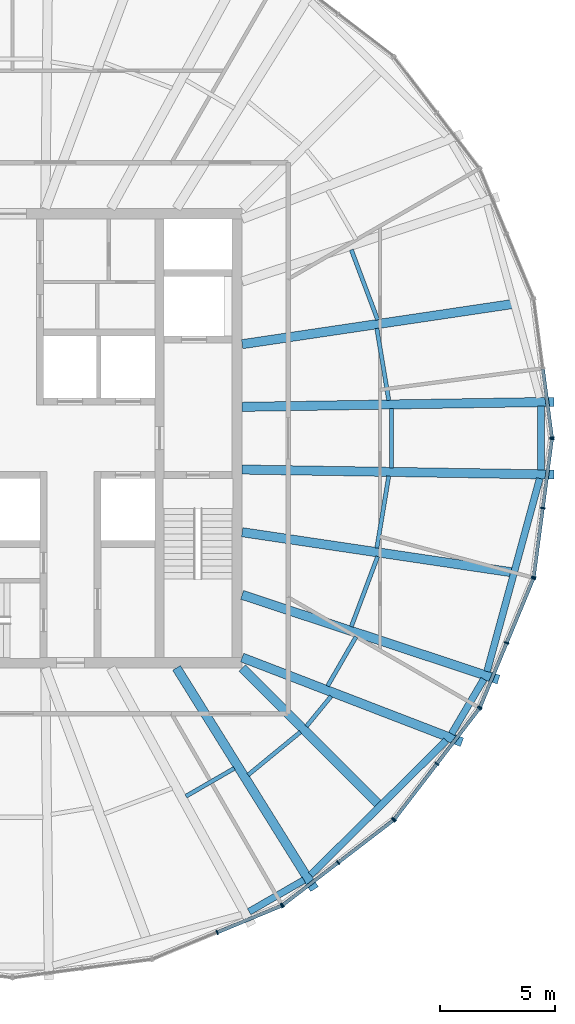
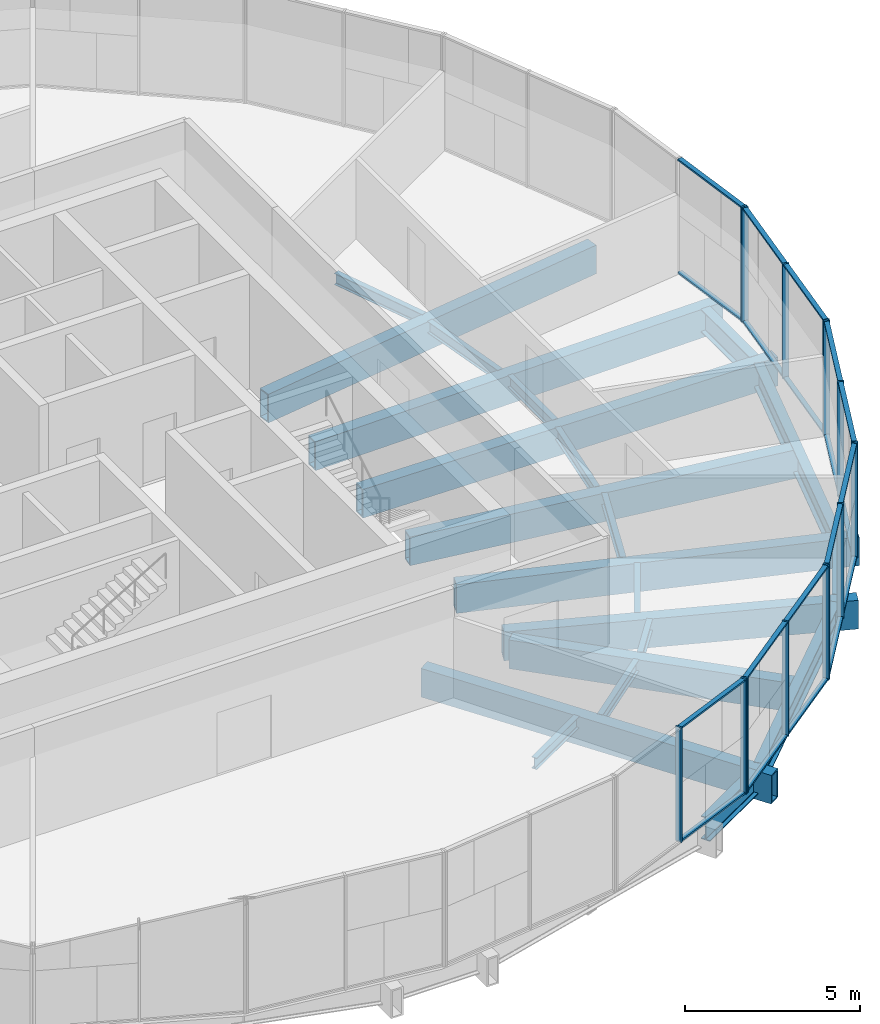
# One storey, part 4 of 13: 35 members, 22 beams, 6 elements without a shape of their own.
"""IFC4 building model written with IfcOpenShell, lengths in metres."""

from ifc_helpers import new_model, si_unit, direction, frame, origin, origin_2d, place, context, subcontext, project, spatial, rectangle, hollow_rectangle, i_section, extrude, material, material_profile, profile_set, type_object, element, aggregate, save


model = new_model("IFC4")

# Units and contexts
model_context = context("Model", 3, precision=1e-05, world=origin(), true_north=direction((0.0, 1.0)))
body_context = subcontext(model_context, "Body", "Model", "MODEL_VIEW")
ifc_project = project(units=[si_unit("LENGTHUNIT", "METRE"), si_unit("AREAUNIT", "SQUARE_METRE"), si_unit("VOLUMEUNIT", "CUBIC_METRE"), si_unit("PLANEANGLEUNIT", "RADIAN"), si_unit("MASSUNIT", "GRAM", prefix="KILO")], contexts=[model_context])

# Site, building, storey
site_placement = place(None, origin())
site = spatial("IfcSite", under=ifc_project, at=site_placement, CompositionType="ELEMENT")
building_placement = place(site_placement, origin())
building = spatial("IfcBuilding", under=site, at=building_placement, Name="Golbaran Civic Tower", CompositionType="ELEMENT")
storey_placement = place(building_placement, frame((0.0, 0.0, 211.0)))
storey = spatial("IfcBuildingStorey", under=building, at=storey_placement, Name="L51", CompositionType="ELEMENT", Elevation=211.0)

# Beams
ifc_material_1 = material(Name="Steel S355", Category="steel")
ifc_material_profile_1 = material_profile(ifc_material_1, i_section(OverallWidth=0.300048828125, OverallDepth=0.800048828125, WebThickness=0.017578125, FlangeThickness=0.032958984375, FilletRadius=0.030029296875, at=origin_2d()), Name="HEB 800")
ifc_profile_set_1 = profile_set([ifc_material_profile_1], Name="Steel S355")
beam_type_1 = type_object("IfcBeamType", Name="EDGE BEAM HEB 800", PredefinedType="BEAM", material=ifc_profile_set_1)
beam_1_placement = place(storey_placement, frame((10.302734375, -20.614501953125, -0.60009765625), z_axis=(0.866142829472, 0.499796557565, 0.0), x_axis=(-0.499796557565, 0.866142829472, 0.0)))
element("IfcBeam", 1, at=beam_1_placement, inside=storey, type_object=beam_type_1, Name="Edge beam 296.23 L51", PredefinedType="BEAM", context=body_context, shape_type="SweptSolid", body=[
    extrude(i_section(OverallWidth=0.300048828125, OverallDepth=0.800048828125, WebThickness=0.017578125, FlangeThickness=0.032958984375, FilletRadius=0.030029296875, at=origin_2d()), origin(), (0.0, 0.0, 1.0), 2.757080078125),
])
beam_2_placement = place(storey_placement, frame((12.977783203125, -19.016845703125, -0.60009765625), z_axis=(0.710417192706, 0.703780798479, 0.0), x_axis=(-0.703780798479, 0.710417192706, 0.0)))
element("IfcBeam", 2, at=beam_2_placement, inside=storey, type_object=beam_type_1, Name="Edge beam 303.77 L51", PredefinedType="BEAM", context=body_context, shape_type="SweptSolid", body=[
    extrude(i_section(OverallWidth=0.300048828125, OverallDepth=0.800048828125, WebThickness=0.017578125, FlangeThickness=0.032958984375, FilletRadius=0.030029296875, at=origin_2d()), origin(), (0.0, 0.0, 1.0), 8.314208984375),
])
beam_3_placement = place(storey_placement, frame((19.1171875, -12.869384765625, -0.60009765625), z_axis=(0.507657170401, 0.861559166477, 0.0), x_axis=(-0.861559166477, 0.507657170401, 0.0)))
element("IfcBeam", 3, at=beam_3_placement, inside=storey, type_object=beam_type_1, Name="Edge beam 326.23 L51", PredefinedType="BEAM", context=body_context, shape_type="SweptSolid", body=[
    extrude(i_section(OverallWidth=0.300048828125, OverallDepth=0.800048828125, WebThickness=0.017578125, FlangeThickness=0.032958984375, FilletRadius=0.030029296875, at=origin_2d()), origin(), (0.0, 0.0, 1.0), 2.762939453125),
])
beam_4_placement = place(storey_placement, frame((20.660888671875, -10.156494140625, -0.60009765625), z_axis=(0.263269153865, 0.964722422577, 0.0), x_axis=(-0.964722422577, 0.263269153865, 0.0)))
element("IfcBeam", 4, at=beam_4_placement, inside=storey, type_object=beam_type_1, Name="Edge beam 333.77 L51", PredefinedType="BEAM", context=body_context, shape_type="SweptSolid", body=[
    extrude(i_section(OverallWidth=0.300048828125, OverallDepth=0.800048828125, WebThickness=0.017578125, FlangeThickness=0.032958984375, FilletRadius=0.030029296875, at=origin_2d()), origin(), (0.0, 0.0, 1.0), 8.71240234375),
])
beam_5_placement = place(storey_placement, frame((23.00341796875, -1.392333984375, -0.60009765625), z_axis=(0.0, 1.0, 0.0), x_axis=(-1.0, 0.0, 0.0)))
element("IfcBeam", 5, at=beam_5_placement, inside=storey, type_object=beam_type_1, Name="Edge beam 356.23 L51", PredefinedType="BEAM", context=body_context, shape_type="SweptSolid", body=[
    extrude(i_section(OverallWidth=0.300048828125, OverallDepth=0.800048828125, WebThickness=0.017578125, FlangeThickness=0.032958984375, FilletRadius=0.030029296875, at=origin_2d()), origin(), (0.0, 0.0, 1.0), 2.78466796875),
])
ifc_material_profile_2 = material_profile(ifc_material_1, i_section(OverallWidth=0.179931640625, OverallDepth=0.39990234375, WebThickness=0.008544921875, FlangeThickness=0.013427734375, FilletRadius=0.02099609375, at=origin_2d()), Name="IPE 400")
ifc_profile_set_2 = profile_set([ifc_material_profile_2], Name="Steel S355")
beam_type_2 = type_object("IfcBeamType", Name="FLOOR INFILL BEAM IPE 400", PredefinedType="BEAM", material=ifc_profile_set_2)
beam_6_placement = place(storey_placement, frame((16.38134765625, 1.646484375, -0.39990234375), z_axis=(-0.16310317286, 0.986609018306, 0.0), x_axis=(-0.986609018306, -0.16310317286, 0.0)))
element("IfcBeam", 6, at=beam_6_placement, inside=storey, type_object=beam_type_2, Name="Infill beam 9.39 L51", PredefinedType="BEAM", context=body_context, shape_type="SweptSolid", body=[
    extrude(i_section(OverallWidth=0.179931640625, OverallDepth=0.39990234375, WebThickness=0.008544921875, FlangeThickness=0.013427734375, FilletRadius=0.02099609375, at=origin_2d()), origin(), (0.0, 0.0, 1.0), 3.177734375),
])
beam_7_placement = place(storey_placement, frame((15.89892578125, 5.151123046875, -0.39990234375), z_axis=(-0.352099806837, 0.935962459731, 0.0), x_axis=(-0.935962459731, -0.352099806837, 0.0)))
element("IfcBeam", 7, at=beam_7_placement, inside=storey, type_object=beam_type_2, Name="Infill beam 20.61 L51", PredefinedType="BEAM", context=body_context, shape_type="SweptSolid", body=[
    extrude(i_section(OverallWidth=0.179931640625, OverallDepth=0.39990234375, WebThickness=0.008544921875, FlangeThickness=0.013427734375, FilletRadius=0.02099609375, at=origin_2d()), origin(), (0.0, 0.0, 1.0), 3.26025390625),
])
beam_8_placement = place(storey_placement, frame((7.551025390625, -15.588623046875, -0.39990234375), z_axis=(0.866041838024, 0.499971533982, 0.0), x_axis=(-0.499971533982, 0.866041838024, 0.0)))
element("IfcBeam", 8, at=beam_8_placement, inside=storey, type_object=beam_type_2, Name="Infill beam 300.00 L51", PredefinedType="BEAM", context=body_context, shape_type="SweptSolid", body=[
    extrude(i_section(OverallWidth=0.179931640625, OverallDepth=0.39990234375, WebThickness=0.008544921875, FlangeThickness=0.013427734375, FilletRadius=0.02099609375, at=origin_2d()), origin(), (0.0, 0.0, 1.0), 2.432373046875),
])
beam_9_placement = place(storey_placement, frame((10.26025390625, -14.658935546875, -0.39990234375), z_axis=(0.77290341436, 0.634523689133, 0.0), x_axis=(-0.634523689133, 0.77290341436, 0.0)))
element("IfcBeam", 9, at=beam_9_placement, inside=storey, type_object=beam_type_2, Name="Infill beam 309.39 L51", PredefinedType="BEAM", context=body_context, shape_type="SweptSolid", body=[
    extrude(i_section(OverallWidth=0.179931640625, OverallDepth=0.39990234375, WebThickness=0.008544921875, FlangeThickness=0.013427734375, FilletRadius=0.02099609375, at=origin_2d()), origin(), (0.0, 0.0, 1.0), 2.944580078125),
])
beam_10_placement = place(storey_placement, frame((12.798095703125, -12.54345703125, -0.39990234375), z_axis=(0.63457951608, 0.772857579229, 0.0), x_axis=(-0.772857579229, 0.63457951608, 0.0)))
element("IfcBeam", 10, at=beam_10_placement, inside=storey, type_object=beam_type_2, Name="Infill beam 320.61 L51", PredefinedType="BEAM", context=body_context, shape_type="SweptSolid", body=[
    extrude(i_section(OverallWidth=0.179931640625, OverallDepth=0.39990234375, WebThickness=0.008544921875, FlangeThickness=0.013427734375, FilletRadius=0.02099609375, at=origin_2d()), origin(), (0.0, 0.0, 1.0), 1.693115234375),
])
beam_11_placement = place(storey_placement, frame((13.718994140625, -10.789794921875, -0.39990234375), z_axis=(0.499984653673, 0.866034263809, 0.0), x_axis=(-0.866034263809, 0.499984653673, 0.0)))
element("IfcBeam", 11, at=beam_11_placement, inside=storey, type_object=beam_type_2, Name="Infill beam 330.00 L51", PredefinedType="BEAM", context=body_context, shape_type="SweptSolid", body=[
    extrude(i_section(OverallWidth=0.179931640625, OverallDepth=0.39990234375, WebThickness=0.008544921875, FlangeThickness=0.013427734375, FilletRadius=0.02099609375, at=origin_2d()), origin(), (0.0, 0.0, 1.0), 2.4716796875),
])
beam_12_placement = place(storey_placement, frame((14.7509765625, -8.20263671875, -0.39990234375), z_axis=(0.352099806837, 0.935962459731, 0.0), x_axis=(-0.935962459731, 0.352099806837, 0.0)))
element("IfcBeam", 12, at=beam_12_placement, inside=storey, type_object=beam_type_2, Name="Infill beam 339.39 L51", PredefinedType="BEAM", context=body_context, shape_type="SweptSolid", body=[
    extrude(i_section(OverallWidth=0.179931640625, OverallDepth=0.39990234375, WebThickness=0.008544921875, FlangeThickness=0.013427734375, FilletRadius=0.02099609375, at=origin_2d()), origin(), (0.0, 0.0, 1.0), 3.26025390625),
])
beam_13_placement = place(storey_placement, frame((15.863037109375, -4.78173828125, -0.39990234375), z_axis=(0.16310317286, 0.986609018306, 0.0), x_axis=(-0.986609018306, 0.16310317286, 0.0)))
element("IfcBeam", 13, at=beam_13_placement, inside=storey, type_object=beam_type_2, Name="Infill beam 350.61 L51", PredefinedType="BEAM", context=body_context, shape_type="SweptSolid", body=[
    extrude(i_section(OverallWidth=0.179931640625, OverallDepth=0.39990234375, WebThickness=0.008544921875, FlangeThickness=0.013427734375, FilletRadius=0.02099609375, at=origin_2d()), origin(), (0.0, 0.0, 1.0), 3.177734375),
])
beam_14_placement = place(storey_placement, frame((16.501708984375, -1.288330078125, -0.39990234375), z_axis=(0.0, 1.0, 0.0), x_axis=(-1.0, 0.0, 0.0)))
element("IfcBeam", 14, at=beam_14_placement, inside=storey, type_object=beam_type_2, Name="Infill beam 0.00 L51", PredefinedType="BEAM", context=body_context, shape_type="SweptSolid", body=[
    extrude(i_section(OverallWidth=0.179931640625, OverallDepth=0.39990234375, WebThickness=0.008544921875, FlangeThickness=0.013427734375, FilletRadius=0.02099609375, at=origin_2d()), origin(), (0.0, 0.0, 1.0), 2.57666015625),
])

# Curtain wall, member
ifc_material_2 = material(Name="Aluminium and glass", Category="aluminium")
curtain_wall_type = type_object("IfcCurtainWallType", Name="INNER SKIN CURTAIN WALL EXECUTIVE", PredefinedType="NOTDEFINED", material=ifc_material_2)
curtain_wall_1_placement = place(storey_placement, origin())
curtain_wall_1 = element("IfcCurtainWall", 15, at=curtain_wall_1_placement, inside=storey, type_object=curtain_wall_type, Name="Inner skin L51 facet 1 CW2", ObjectType="INNER SKIN", PredefinedType="USERDEFINED")
ifc_material_3 = material(Name="Aluminium", Category="aluminium")
ifc_material_profile_3 = material_profile(ifc_material_3, rectangle(XDim=0.199951171875, YDim=0.06005859375, at=origin_2d()), Name="INNER SKIN CURTAIN WALL EXECUTIVE MULLION")
ifc_profile_set_3 = profile_set([ifc_material_profile_3], Name="Aluminium")
member_type_1 = type_object("IfcMemberType", Name="INNER SKIN CURTAIN WALL EXECUTIVE MULLION", PredefinedType="MULLION", material=ifc_profile_set_3)
member_1_placement = place(storey_placement, frame((23.484130859375, 0.02978515625, 0.0), z_axis=(0.0, 0.0, 1.0), x_axis=(-0.991444861376, -0.130526192203, 0.0)))
member_1 = element("IfcMember", 16, at=member_1_placement, type_object=member_type_1, Name="CW2 mullion 1", PredefinedType="MULLION", context=body_context, shape_type="SweptSolid", body=[
    extrude(rectangle(XDim=0.199951171875, YDim=0.06005859375, at=origin_2d()), origin(), (0.0, 0.0, 1.0), 4.0),
])

# Curtain wall, members
curtain_wall_2_placement = place(storey_placement, origin())
curtain_wall_2 = element("IfcCurtainWall", 17, at=curtain_wall_2_placement, inside=storey, type_object=curtain_wall_type, Name="Inner skin L51 facet 20 CW2", ObjectType="INNER SKIN", PredefinedType="USERDEFINED")
member_2_placement = place(storey_placement, frame((8.91162109375, -21.514404296875, 0.0), z_axis=(0.0, 0.0, 1.0), x_axis=(-0.382683432381, 0.923879532505, 0.0)))
member_2 = element("IfcMember", 18, at=member_2_placement, type_object=member_type_1, Name="CW2 mullion 2", PredefinedType="MULLION", context=body_context, shape_type="SweptSolid", body=[
    extrude(rectangle(XDim=0.199951171875, YDim=0.06005859375, at=origin_2d()), origin(), (0.0, 0.0, 1.0), 4.0),
])
member_3_placement = place(storey_placement, frame((11.71630859375, -20.352783203125, 0.0), z_axis=(0.0, 0.0, 1.0), x_axis=(-0.382683432381, 0.923879532505, 0.0)))
member_3 = element("IfcMember", 19, at=member_3_placement, type_object=member_type_1, Name="CW2 mullion 3", PredefinedType="MULLION", context=body_context, shape_type="SweptSolid", body=[
    extrude(rectangle(XDim=0.199951171875, YDim=0.06005859375, at=origin_2d()), origin(), (0.0, 0.0, 1.0), 4.0),
])

curtain_wall_3_placement = place(storey_placement, origin())
curtain_wall_3 = element("IfcCurtainWall", 20, at=curtain_wall_3_placement, inside=storey, type_object=curtain_wall_type, Name="Inner skin L51 facet 21 CW2", ObjectType="INNER SKIN", PredefinedType="USERDEFINED")
member_4_placement = place(storey_placement, frame((11.767822265625, -20.322998046875, 0.0), z_axis=(0.0, 0.0, 1.0), x_axis=(-0.608761428912, 0.793353340366, 0.0)))
member_4 = element("IfcMember", 21, at=member_4_placement, type_object=member_type_1, Name="CW2 mullion 1", PredefinedType="MULLION", context=body_context, shape_type="SweptSolid", body=[
    extrude(rectangle(XDim=0.199951171875, YDim=0.06005859375, at=origin_2d()), origin(), (0.0, 0.0, 1.0), 4.0),
])
member_5_placement = place(storey_placement, frame((14.17626953125, -18.474853515625, 0.0), z_axis=(0.0, 0.0, 1.0), x_axis=(-0.608761428912, 0.793353340366, 0.0)))
member_5 = element("IfcMember", 22, at=member_5_placement, type_object=member_type_1, Name="CW2 mullion 2", PredefinedType="MULLION", context=body_context, shape_type="SweptSolid", body=[
    extrude(rectangle(XDim=0.199951171875, YDim=0.06005859375, at=origin_2d()), origin(), (0.0, 0.0, 1.0), 4.0),
])
member_6_placement = place(storey_placement, frame((16.584716796875, -16.626708984375, 0.0), z_axis=(0.0, 0.0, 1.0), x_axis=(-0.608761428912, 0.793353340366, 0.0)))
member_6 = element("IfcMember", 23, at=member_6_placement, type_object=member_type_1, Name="CW2 mullion 3", PredefinedType="MULLION", context=body_context, shape_type="SweptSolid", body=[
    extrude(rectangle(XDim=0.199951171875, YDim=0.06005859375, at=origin_2d()), origin(), (0.0, 0.0, 1.0), 4.0),
])

curtain_wall_4_placement = place(storey_placement, origin())
curtain_wall_4 = element("IfcCurtainWall", 24, at=curtain_wall_4_placement, inside=storey, type_object=curtain_wall_type, Name="Inner skin L51 facet 22 CW2", ObjectType="INNER SKIN", PredefinedType="USERDEFINED")
member_7_placement = place(storey_placement, frame((16.626708984375, -16.584716796875, 0.0), z_axis=(0.0, 0.0, 1.0), x_axis=(-0.793353340366, 0.608761428912, 0.0)))
member_7 = element("IfcMember", 25, at=member_7_placement, type_object=member_type_1, Name="CW2 mullion 1", PredefinedType="MULLION", context=body_context, shape_type="SweptSolid", body=[
    extrude(rectangle(XDim=0.199951171875, YDim=0.06005859375, at=origin_2d()), origin(), (0.0, 0.0, 1.0), 4.0),
])
member_8_placement = place(storey_placement, frame((18.474853515625, -14.17626953125, 0.0), z_axis=(0.0, 0.0, 1.0), x_axis=(-0.793353340366, 0.608761428912, 0.0)))
member_8 = element("IfcMember", 26, at=member_8_placement, type_object=member_type_1, Name="CW2 mullion 2", PredefinedType="MULLION", context=body_context, shape_type="SweptSolid", body=[
    extrude(rectangle(XDim=0.199951171875, YDim=0.06005859375, at=origin_2d()), origin(), (0.0, 0.0, 1.0), 4.0),
])
member_9_placement = place(storey_placement, frame((20.322998046875, -11.767822265625, 0.0), z_axis=(0.0, 0.0, 1.0), x_axis=(-0.793353340366, 0.608761428912, 0.0)))
member_9 = element("IfcMember", 27, at=member_9_placement, type_object=member_type_1, Name="CW2 mullion 3", PredefinedType="MULLION", context=body_context, shape_type="SweptSolid", body=[
    extrude(rectangle(XDim=0.199951171875, YDim=0.06005859375, at=origin_2d()), origin(), (0.0, 0.0, 1.0), 4.0),
])

curtain_wall_5_placement = place(storey_placement, origin())
curtain_wall_5 = element("IfcCurtainWall", 28, at=curtain_wall_5_placement, inside=storey, type_object=curtain_wall_type, Name="Inner skin L51 facet 23 CW2", ObjectType="INNER SKIN", PredefinedType="USERDEFINED")
member_10_placement = place(storey_placement, frame((20.352783203125, -11.71630859375, 0.0), z_axis=(0.0, 0.0, 1.0), x_axis=(-0.923879532505, 0.382683432381, 0.0)))
member_10 = element("IfcMember", 29, at=member_10_placement, type_object=member_type_1, Name="CW2 mullion 1", PredefinedType="MULLION", context=body_context, shape_type="SweptSolid", body=[
    extrude(rectangle(XDim=0.199951171875, YDim=0.06005859375, at=origin_2d()), origin(), (0.0, 0.0, 1.0), 4.0),
])
member_11_placement = place(storey_placement, frame((21.514404296875, -8.91162109375, 0.0), z_axis=(0.0, 0.0, 1.0), x_axis=(-0.923879532505, 0.382683432381, 0.0)))
member_11 = element("IfcMember", 30, at=member_11_placement, type_object=member_type_1, Name="CW2 mullion 2", PredefinedType="MULLION", context=body_context, shape_type="SweptSolid", body=[
    extrude(rectangle(XDim=0.199951171875, YDim=0.06005859375, at=origin_2d()), origin(), (0.0, 0.0, 1.0), 4.0),
])
member_12_placement = place(storey_placement, frame((22.67626953125, -6.10693359375, 0.0), z_axis=(0.0, 0.0, 1.0), x_axis=(-0.923879532505, 0.382683432381, 0.0)))
member_12 = element("IfcMember", 31, at=member_12_placement, type_object=member_type_1, Name="CW2 mullion 3", PredefinedType="MULLION", context=body_context, shape_type="SweptSolid", body=[
    extrude(rectangle(XDim=0.199951171875, YDim=0.06005859375, at=origin_2d()), origin(), (0.0, 0.0, 1.0), 4.0),
])

curtain_wall_6_placement = place(storey_placement, origin())
curtain_wall_6 = element("IfcCurtainWall", 32, at=curtain_wall_6_placement, inside=storey, type_object=curtain_wall_type, Name="Inner skin L51 facet 24 CW2", ObjectType="INNER SKIN", PredefinedType="USERDEFINED")
member_13_placement = place(storey_placement, frame((22.691650390625, -6.04931640625, 0.0), z_axis=(0.0, 0.0, 1.0), x_axis=(-0.991444861376, 0.130526192203, 0.0)))
member_13 = element("IfcMember", 33, at=member_13_placement, type_object=member_type_1, Name="CW2 mullion 1", PredefinedType="MULLION", context=body_context, shape_type="SweptSolid", body=[
    extrude(rectangle(XDim=0.199951171875, YDim=0.06005859375, at=origin_2d()), origin(), (0.0, 0.0, 1.0), 4.0),
])
member_14_placement = place(storey_placement, frame((23.087890625, -3.03955078125, 0.0), z_axis=(0.0, 0.0, 1.0), x_axis=(-0.991444861376, 0.130526192203, 0.0)))
member_14 = element("IfcMember", 34, at=member_14_placement, type_object=member_type_1, Name="CW2 mullion 2", PredefinedType="MULLION", context=body_context, shape_type="SweptSolid", body=[
    extrude(rectangle(XDim=0.199951171875, YDim=0.06005859375, at=origin_2d()), origin(), (0.0, 0.0, 1.0), 4.0),
])
member_15_placement = place(storey_placement, frame((23.484130859375, -0.02978515625, 0.0), z_axis=(0.0, 0.0, 1.0), x_axis=(-0.991444861376, 0.130526192203, 0.0)))
member_15 = element("IfcMember", 35, at=member_15_placement, type_object=member_type_1, Name="CW2 mullion 3", PredefinedType="MULLION", context=body_context, shape_type="SweptSolid", body=[
    extrude(rectangle(XDim=0.199951171875, YDim=0.06005859375, at=origin_2d()), origin(), (0.0, 0.0, 1.0), 4.0),
])

# Member
ifc_material_profile_4 = material_profile(ifc_material_3, rectangle(XDim=0.14990234375, YDim=0.06005859375, at=origin_2d()), Name="INNER SKIN CURTAIN WALL EXECUTIVE TRANSOM")
ifc_profile_set_4 = profile_set([ifc_material_profile_4], Name="Aluminium")
member_type_2 = type_object("IfcMemberType", Name="INNER SKIN CURTAIN WALL EXECUTIVE TRANSOM", PredefinedType="USERDEFINED", material=ifc_profile_set_4)
member_16_placement = place(storey_placement, frame((23.480224609375, 0.0595703125, 0.030029296875), z_axis=(-0.130535161835, 0.99144368046, 0.0), x_axis=(-0.99144368046, -0.130535161835, 0.0)))
member_16 = element("IfcMember", 36, at=member_16_placement, type_object=member_type_2, Name="CW2 transom 1.1", ObjectType="TRANSOM", PredefinedType="USERDEFINED", context=body_context, shape_type="SweptSolid", body=[
    extrude(rectangle(XDim=0.14990234375, YDim=0.06005859375, at=origin_2d()), origin(), (0.0, 0.0, 1.0), 2.9755859375),
])

member_17_placement = place(storey_placement, frame((23.480224609375, 0.0595703125, 3.969970703125), z_axis=(-0.130535161835, 0.99144368046, 0.0), x_axis=(-0.99144368046, -0.130535161835, 0.0)))
member_17 = element("IfcMember", 37, at=member_17_placement, type_object=member_type_2, Name="CW2 transom 1.2", ObjectType="TRANSOM", PredefinedType="USERDEFINED", context=body_context, shape_type="SweptSolid", body=[
    extrude(rectangle(XDim=0.14990234375, YDim=0.06005859375, at=origin_2d()), origin(), (0.0, 0.0, 1.0), 2.9755859375),
])

aggregate(curtain_wall_1, [member_1, member_16, member_17])

member_18_placement = place(storey_placement, frame((8.939208984375, -21.5029296875, 0.030029296875), z_axis=(0.923892843918, 0.382651294204, 0.0), x_axis=(-0.382651294204, 0.923892843918, 0.0)))
member_18 = element("IfcMember", 38, at=member_18_placement, type_object=member_type_2, Name="CW2 transom 2.1", ObjectType="TRANSOM", PredefinedType="USERDEFINED", context=body_context, shape_type="SweptSolid", body=[
    extrude(rectangle(XDim=0.14990234375, YDim=0.06005859375, at=origin_2d()), origin(), (0.0, 0.0, 1.0), 2.975830078125),
])

member_19_placement = place(storey_placement, frame((8.939208984375, -21.5029296875, 3.969970703125), z_axis=(0.923892843918, 0.382651294204, 0.0), x_axis=(-0.382651294204, 0.923892843918, 0.0)))
member_19 = element("IfcMember", 39, at=member_19_placement, type_object=member_type_2, Name="CW2 transom 2.2", ObjectType="TRANSOM", PredefinedType="USERDEFINED", context=body_context, shape_type="SweptSolid", body=[
    extrude(rectangle(XDim=0.14990234375, YDim=0.06005859375, at=origin_2d()), origin(), (0.0, 0.0, 1.0), 2.975830078125),
])

aggregate(curtain_wall_2, [member_2, member_3, member_18, member_19])

member_20_placement = place(storey_placement, frame((11.79150390625, -20.3046875, 0.030029296875), z_axis=(0.79335539968, 0.608758745152, 0.0), x_axis=(-0.608758745152, 0.79335539968, 0.0)))
member_20 = element("IfcMember", 40, at=member_20_placement, type_object=member_type_2, Name="CW2 transom 1.1", ObjectType="TRANSOM", PredefinedType="USERDEFINED", context=body_context, shape_type="SweptSolid", body=[
    extrude(rectangle(XDim=0.14990234375, YDim=0.06005859375, at=origin_2d()), origin(), (0.0, 0.0, 1.0), 2.975830078125),
])

member_21_placement = place(storey_placement, frame((11.79150390625, -20.3046875, 3.969970703125), z_axis=(0.79335539968, 0.608758745152, 0.0), x_axis=(-0.608758745152, 0.79335539968, 0.0)))
member_21 = element("IfcMember", 41, at=member_21_placement, type_object=member_type_2, Name="CW2 transom 1.2", ObjectType="TRANSOM", PredefinedType="USERDEFINED", context=body_context, shape_type="SweptSolid", body=[
    extrude(rectangle(XDim=0.14990234375, YDim=0.06005859375, at=origin_2d()), origin(), (0.0, 0.0, 1.0), 2.975830078125),
])

member_22_placement = place(storey_placement, frame((14.199951171875, -18.45654296875, 0.030029296875), z_axis=(0.793385800782, 0.608719123338, 0.0), x_axis=(-0.608719123338, 0.793385800782, 0.0)))
member_22 = element("IfcMember", 42, at=member_22_placement, type_object=member_type_2, Name="CW2 transom 2.1", ObjectType="TRANSOM", PredefinedType="USERDEFINED", context=body_context, shape_type="SweptSolid", body=[
    extrude(rectangle(XDim=0.14990234375, YDim=0.06005859375, at=origin_2d()), origin(), (0.0, 0.0, 1.0), 2.97607421875),
])

member_23_placement = place(storey_placement, frame((14.199951171875, -18.45654296875, 3.969970703125), z_axis=(0.793385800782, 0.608719123338, 0.0), x_axis=(-0.608719123338, 0.793385800782, 0.0)))
member_23 = element("IfcMember", 43, at=member_23_placement, type_object=member_type_2, Name="CW2 transom 2.2", ObjectType="TRANSOM", PredefinedType="USERDEFINED", context=body_context, shape_type="SweptSolid", body=[
    extrude(rectangle(XDim=0.14990234375, YDim=0.06005859375, at=origin_2d()), origin(), (0.0, 0.0, 1.0), 2.97607421875),
])

aggregate(curtain_wall_3, [member_4, member_5, member_6, member_20, member_21, member_22, member_23])

member_24_placement = place(storey_placement, frame((16.64501953125, -16.56103515625, 0.030029296875), z_axis=(0.608719123338, 0.793385800782, 0.0), x_axis=(-0.793385800782, 0.608719123338, 0.0)))
member_24 = element("IfcMember", 44, at=member_24_placement, type_object=member_type_2, Name="CW2 transom 1.1", ObjectType="TRANSOM", PredefinedType="USERDEFINED", context=body_context, shape_type="SweptSolid", body=[
    extrude(rectangle(XDim=0.14990234375, YDim=0.06005859375, at=origin_2d()), origin(), (0.0, 0.0, 1.0), 2.97607421875),
])

member_25_placement = place(storey_placement, frame((16.64501953125, -16.56103515625, 3.969970703125), z_axis=(0.608719123338, 0.793385800782, 0.0), x_axis=(-0.793385800782, 0.608719123338, 0.0)))
member_25 = element("IfcMember", 45, at=member_25_placement, type_object=member_type_2, Name="CW2 transom 1.2", ObjectType="TRANSOM", PredefinedType="USERDEFINED", context=body_context, shape_type="SweptSolid", body=[
    extrude(rectangle(XDim=0.14990234375, YDim=0.06005859375, at=origin_2d()), origin(), (0.0, 0.0, 1.0), 2.97607421875),
])

member_26_placement = place(storey_placement, frame((18.4931640625, -14.15234375, 0.030029296875), z_axis=(0.608758745152, 0.79335539968, 0.0), x_axis=(-0.79335539968, 0.608758745152, 0.0)))
member_26 = element("IfcMember", 46, at=member_26_placement, type_object=member_type_2, Name="CW2 transom 2.1", ObjectType="TRANSOM", PredefinedType="USERDEFINED", context=body_context, shape_type="SweptSolid", body=[
    extrude(rectangle(XDim=0.14990234375, YDim=0.06005859375, at=origin_2d()), origin(), (0.0, 0.0, 1.0), 2.975830078125),
])

member_27_placement = place(storey_placement, frame((18.4931640625, -14.15234375, 3.969970703125), z_axis=(0.608758745152, 0.79335539968, 0.0), x_axis=(-0.79335539968, 0.608758745152, 0.0)))
member_27 = element("IfcMember", 47, at=member_27_placement, type_object=member_type_2, Name="CW2 transom 2.2", ObjectType="TRANSOM", PredefinedType="USERDEFINED", context=body_context, shape_type="SweptSolid", body=[
    extrude(rectangle(XDim=0.14990234375, YDim=0.06005859375, at=origin_2d()), origin(), (0.0, 0.0, 1.0), 2.975830078125),
])

aggregate(curtain_wall_4, [member_7, member_8, member_9, member_24, member_25, member_26, member_27])

member_28_placement = place(storey_placement, frame((20.3642578125, -11.6884765625, 0.030029296875), z_axis=(0.382651294204, 0.923892843918, 0.0), x_axis=(-0.923892843918, 0.382651294204, 0.0)))
member_28 = element("IfcMember", 48, at=member_28_placement, type_object=member_type_2, Name="CW2 transom 1.1", ObjectType="TRANSOM", PredefinedType="USERDEFINED", context=body_context, shape_type="SweptSolid", body=[
    extrude(rectangle(XDim=0.14990234375, YDim=0.06005859375, at=origin_2d()), origin(), (0.0, 0.0, 1.0), 2.975830078125),
])

member_29_placement = place(storey_placement, frame((20.3642578125, -11.6884765625, 3.969970703125), z_axis=(0.382651294204, 0.923892843918, 0.0), x_axis=(-0.923892843918, 0.382651294204, 0.0)))
member_29 = element("IfcMember", 49, at=member_29_placement, type_object=member_type_2, Name="CW2 transom 1.2", ObjectType="TRANSOM", PredefinedType="USERDEFINED", context=body_context, shape_type="SweptSolid", body=[
    extrude(rectangle(XDim=0.14990234375, YDim=0.06005859375, at=origin_2d()), origin(), (0.0, 0.0, 1.0), 2.975830078125),
])

member_30_placement = place(storey_placement, frame((21.52587890625, -8.8837890625, 0.030029296875), z_axis=(0.382721321507, 0.923863837405, 0.0), x_axis=(-0.923863837405, 0.382721321507, 0.0)))
member_30 = element("IfcMember", 50, at=member_30_placement, type_object=member_type_2, Name="CW2 transom 2.1", ObjectType="TRANSOM", PredefinedType="USERDEFINED", context=body_context, shape_type="SweptSolid", body=[
    extrude(rectangle(XDim=0.14990234375, YDim=0.06005859375, at=origin_2d()), origin(), (0.0, 0.0, 1.0), 2.975830078125),
])

member_31_placement = place(storey_placement, frame((21.52587890625, -8.8837890625, 3.969970703125), z_axis=(0.382721321507, 0.923863837405, 0.0), x_axis=(-0.923863837405, 0.382721321507, 0.0)))
member_31 = element("IfcMember", 51, at=member_31_placement, type_object=member_type_2, Name="CW2 transom 2.2", ObjectType="TRANSOM", PredefinedType="USERDEFINED", context=body_context, shape_type="SweptSolid", body=[
    extrude(rectangle(XDim=0.14990234375, YDim=0.06005859375, at=origin_2d()), origin(), (0.0, 0.0, 1.0), 2.975830078125),
])

aggregate(curtain_wall_5, [member_10, member_11, member_12, member_28, member_29, member_30, member_31])

member_32_placement = place(storey_placement, frame((22.695556640625, -6.019775390625, 0.030029296875), z_axis=(0.130524544442, 0.991445078306, 0.0), x_axis=(-0.991445078306, 0.130524544442, 0.0)))
member_32 = element("IfcMember", 52, at=member_32_placement, type_object=member_type_2, Name="CW2 transom 1.1", ObjectType="TRANSOM", PredefinedType="USERDEFINED", context=body_context, shape_type="SweptSolid", body=[
    extrude(rectangle(XDim=0.14990234375, YDim=0.06005859375, at=origin_2d()), origin(), (0.0, 0.0, 1.0), 2.975830078125),
])

member_33_placement = place(storey_placement, frame((22.695556640625, -6.019775390625, 3.969970703125), z_axis=(0.130524544442, 0.991445078306, 0.0), x_axis=(-0.991445078306, 0.130524544442, 0.0)))
member_33 = element("IfcMember", 53, at=member_33_placement, type_object=member_type_2, Name="CW2 transom 1.2", ObjectType="TRANSOM", PredefinedType="USERDEFINED", context=body_context, shape_type="SweptSolid", body=[
    extrude(rectangle(XDim=0.14990234375, YDim=0.06005859375, at=origin_2d()), origin(), (0.0, 0.0, 1.0), 2.975830078125),
])

member_34_placement = place(storey_placement, frame((23.091796875, -3.009765625, 0.030029296875), z_axis=(0.130535161835, 0.99144368046, 0.0), x_axis=(-0.99144368046, 0.130535161835, 0.0)))
member_34 = element("IfcMember", 54, at=member_34_placement, type_object=member_type_2, Name="CW2 transom 2.1", ObjectType="TRANSOM", PredefinedType="USERDEFINED", context=body_context, shape_type="SweptSolid", body=[
    extrude(rectangle(XDim=0.14990234375, YDim=0.06005859375, at=origin_2d()), origin(), (0.0, 0.0, 1.0), 2.9755859375),
])

member_35_placement = place(storey_placement, frame((23.091796875, -3.009765625, 3.969970703125), z_axis=(0.130535161835, 0.99144368046, 0.0), x_axis=(-0.99144368046, 0.130535161835, 0.0)))
member_35 = element("IfcMember", 55, at=member_35_placement, type_object=member_type_2, Name="CW2 transom 2.2", ObjectType="TRANSOM", PredefinedType="USERDEFINED", context=body_context, shape_type="SweptSolid", body=[
    extrude(rectangle(XDim=0.14990234375, YDim=0.06005859375, at=origin_2d()), origin(), (0.0, 0.0, 1.0), 2.9755859375),
])

aggregate(curtain_wall_6, [member_13, member_14, member_15, member_32, member_33, member_34, member_35])

# Beams
ifc_material_profile_5 = material_profile(ifc_material_1, hollow_rectangle(XDim=0.39990234375, YDim=1.0, WallThickness=0.050048828125, at=origin_2d()), Name="BOX 1000x400x50")
ifc_profile_set_5 = profile_set([ifc_material_profile_5], Name="Steel S355")
beam_type_3 = type_object("IfcBeamType", Name="RADIAL FLOOR BEAM BOX 1000x400x50", PredefinedType="BEAM", material=ifc_profile_set_5)
beam_15_placement = place(storey_placement, frame((10.0, 1.3642578125, -0.7099609375), z_axis=(0.999871941722, 0.016003129608, 0.0), x_axis=(-0.016003129608, 0.999871941722, 0.0)))
element("IfcBeam", 56, at=beam_15_placement, inside=storey, type_object=beam_type_3, Name="Radial beam 3.77 L51", PredefinedType="BEAM", context=body_context, shape_type="SweptSolid", body=[
    extrude(hollow_rectangle(XDim=0.39990234375, YDim=1.0, WallThickness=0.050048828125, at=origin_2d()), origin(), (0.0, 0.0, 1.0), 13.57763671875),
])
beam_16_placement = place(storey_placement, frame((7.142822265625, -10.0, -0.7099609375), z_axis=(0.529136453268, -0.848536748658, 0.0), x_axis=(0.848536748658, 0.529136453268, 0.0)))
element("IfcBeam", 57, at=beam_16_placement, inside=storey, type_object=beam_type_3, Name="Radial beam 303.77 L51", PredefinedType="BEAM", context=body_context, shape_type="SweptSolid", body=[
    extrude(hollow_rectangle(XDim=0.39990234375, YDim=1.0, WallThickness=0.050048828125, at=origin_2d()), origin(), (0.0, 0.0, 1.0), 11.351806640625),
])
beam_17_placement = place(storey_placement, frame((10.0, -9.550048828125, -0.7099609375), z_axis=(0.933152848345, -0.359479848707, 0.0), x_axis=(0.359479848707, 0.933152848345, 0.0)))
element("IfcBeam", 58, at=beam_17_placement, inside=storey, type_object=beam_type_3, Name="Radial beam 326.23 L51", PredefinedType="BEAM", context=body_context, shape_type="SweptSolid", body=[
    extrude(hollow_rectangle(XDim=0.39990234375, YDim=1.0, WallThickness=0.050048828125, at=origin_2d()), origin(), (0.0, 0.0, 1.0), 10.257080078125),
])
beam_18_placement = place(storey_placement, frame((10.0, -6.821533203125, -0.7099609375), z_axis=(0.949452887328, -0.313909564594, 0.0), x_axis=(0.313909564594, 0.949452887328, 0.0)))
element("IfcBeam", 59, at=beam_18_placement, inside=storey, type_object=beam_type_3, Name="Radial beam 333.77 L51", PredefinedType="BEAM", context=body_context, shape_type="SweptSolid", body=[
    extrude(hollow_rectangle(XDim=0.39990234375, YDim=1.0, WallThickness=0.050048828125, at=origin_2d()), origin(), (0.0, 0.0, 1.0), 11.7578125),
])
beam_19_placement = place(storey_placement, frame((10.0, -1.3642578125, -0.7099609375), z_axis=(0.999871941722, -0.016003129608, 0.0), x_axis=(0.016003129608, 0.999871941722, 0.0)))
element("IfcBeam", 60, at=beam_19_placement, inside=storey, type_object=beam_type_3, Name="Radial beam 356.23 L51", PredefinedType="BEAM", context=body_context, shape_type="SweptSolid", body=[
    extrude(hollow_rectangle(XDim=0.39990234375, YDim=1.0, WallThickness=0.050048828125, at=origin_2d()), origin(), (0.0, 0.0, 1.0), 13.57763671875),
])
ifc_material_profile_6 = material_profile(ifc_material_1, hollow_rectangle(XDim=0.39990234375, YDim=1.0, WallThickness=0.0400390625, at=origin_2d()), Name="BOX 1000x400x40")
ifc_profile_set_6 = profile_set([ifc_material_profile_6], Name="Steel S355")
beam_type_4 = type_object("IfcBeamType", Name="SECONDARY FLOOR BEAM BOX 1000x400x40", PredefinedType="BEAM", material=ifc_profile_set_6)
beam_20_placement = place(storey_placement, frame((10.0, 4.0927734375, -0.7099609375), z_axis=(0.989147410301, 0.146926514606, 0.0), x_axis=(-0.146926514606, 0.989147410301, 0.0)))
element("IfcBeam", 61, at=beam_20_placement, inside=storey, type_object=beam_type_4, Name="Secondary beam 15.00 L51", PredefinedType="BEAM", context=body_context, shape_type="SweptSolid", body=[
    extrude(hollow_rectangle(XDim=0.39990234375, YDim=1.0, WallThickness=0.0400390625, at=origin_2d()), origin(), (0.0, 0.0, 1.0), 11.965576171875),
])
beam_21_placement = place(storey_placement, frame((10.0, -10.0, -0.7099609375), z_axis=(0.707106781187, -0.707106781187, 0.0), x_axis=(0.707106781187, 0.707106781187, 0.0)))
element("IfcBeam", 62, at=beam_21_placement, inside=storey, type_object=beam_type_4, Name="Secondary beam 315.00 L51", PredefinedType="BEAM", context=body_context, shape_type="SweptSolid", body=[
    extrude(hollow_rectangle(XDim=0.39990234375, YDim=1.0, WallThickness=0.0400390625, at=origin_2d()), origin(), (0.0, 0.0, 1.0), 8.50146484375),
])
beam_22_placement = place(storey_placement, frame((10.0, -4.0927734375, -0.7099609375), z_axis=(0.989147410301, -0.146926514606, 0.0), x_axis=(0.146926514606, 0.989147410301, 0.0)))
element("IfcBeam", 63, at=beam_22_placement, inside=storey, type_object=beam_type_4, Name="Secondary beam 345.00 L51", PredefinedType="BEAM", context=body_context, shape_type="SweptSolid", body=[
    extrude(hollow_rectangle(XDim=0.39990234375, YDim=1.0, WallThickness=0.0400390625, at=origin_2d()), origin(), (0.0, 0.0, 1.0), 11.965576171875),
])

save(model, "model.ifc")
